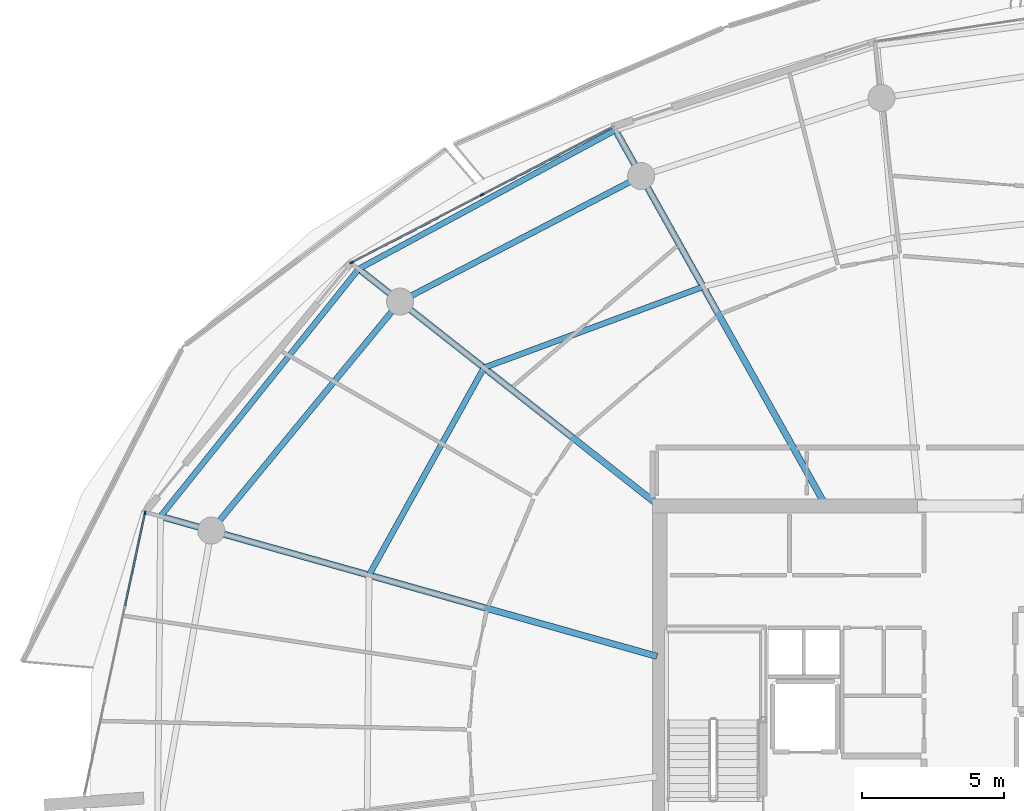
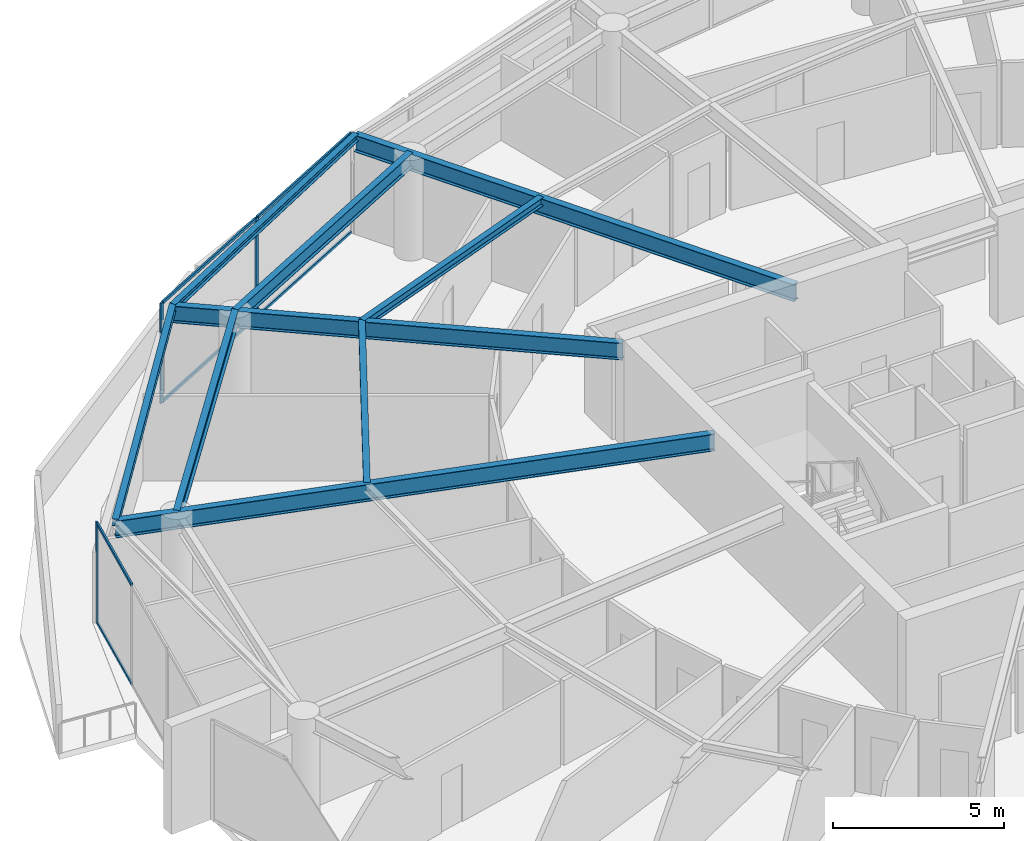
# One storey, part 11 of 29: 9 beams, 9 members, 2 elements without a shape of their own.
"""IFC4 building model written with IfcOpenShell, lengths in metres."""

import ifcopenshell
import ifcopenshell.guid

model = None  # the IFC model being written
_history = None  # IfcOwnerHistory: only IFC2X3 demands one
_inside = {}  # id of a spatial element -> (the spatial element, [elements in it])
_under = {}  # id of a project, library or spatial element -> (it, [spatial elements below it])
_declared = {}  # id of a project -> (the project, [libraries it declares])
_typed = {}  # id of a type object -> (the type object, [elements of that type])
_made_of = {}  # id of a material, layer set ... -> (it, [elements and type objects made of it])


def new_model(schema):
    """Start an empty IFC model of exactly this schema.

    Asked for "IFC4X3", IfcOpenShell would pick the latest addendum, in which some entities
    have other attributes; the version numbers below select the first issue.
    IFC2X3 requires an IfcOwnerHistory on every rooted entity: one is made here for all.
    """
    global model, _history
    if schema == "IFC4X3":
        model = ifcopenshell.file(schema_version=(4, 3, 0, 0))
    else:
        model = ifcopenshell.file(schema=schema)
    _inside.clear()
    _under.clear()
    _declared.clear()
    _typed.clear()
    _made_of.clear()
    _history = None
    if model.schema == "IFC2X3":
        org = make("IfcOrganization", Name="unknown")
        user = make(
            "IfcPersonAndOrganization",
            ThePerson=make("IfcPerson", FamilyName="unknown"),
            TheOrganization=org,
        )
        app = make(
            "IfcApplication",
            ApplicationDeveloper=org,
            Version="unknown",
            ApplicationFullName="unknown",
            ApplicationIdentifier="unknown",
        )
        _history = make(
            "IfcOwnerHistory",
            OwningUser=user,
            OwningApplication=app,
            ChangeAction="ADDED",
            CreationDate=0,
        )
    return model


def make(cls, **values):
    """One entity of the class cls with the attributes given. An attribute that is None is left unset."""
    return model.create_entity(
        cls, **{name: value for name, value in values.items() if value is not None}
    )


def rooted(cls, **values):
    """An entity with a GlobalId (a new one), such as an element, a storey or a relation."""
    return make(cls, GlobalId=ifcopenshell.guid.new(), OwnerHistory=_history, **values)


def si_unit(unit_type, name, prefix=None):
    """IfcSIUnit, for example si_unit("LENGTHUNIT", "METRE", prefix="MILLI")."""
    return make("IfcSIUnit", UnitType=unit_type, Prefix=prefix, Name=name)


def assignment(units):
    """IfcUnitAssignment: the units of a project."""
    return None if units is None else make("IfcUnitAssignment", Units=units)


def point(xyz):
    """IfcCartesianPoint."""
    return None if xyz is None else make("IfcCartesianPoint", Coordinates=xyz)


def direction(xyz):
    """IfcDirection."""
    return None if xyz is None else make("IfcDirection", DirectionRatios=xyz)


def frame(location, z_axis=None, x_axis=None):
    """IfcAxis2Placement3D, a coordinate frame: its origin and axes. An axis left out is left unset."""
    return make(
        "IfcAxis2Placement3D",
        Location=point(location),
        Axis=direction(z_axis),
        RefDirection=direction(x_axis),
    )


def frame_2d(location, x_axis=None):
    """IfcAxis2Placement2D, a coordinate frame in the plane: its origin and x axis."""
    return make(
        "IfcAxis2Placement2D", Location=point(location), RefDirection=direction(x_axis)
    )


def origin():
    """The frame at (0, 0, 0) with its axes left unset."""
    return frame((0.0, 0.0, 0.0))


def origin_2d():
    """The frame at (0, 0) in the plane with its x axis left unset."""
    return frame_2d((0.0, 0.0))


def place(relative_to, where):
    """IfcLocalPlacement: puts the frame where relative to a parent placement (None: the world)."""
    return make(
        "IfcLocalPlacement", PlacementRelTo=relative_to, RelativePlacement=where
    )


def context(
    kind, dimensions, precision=None, world=None, true_north=None, identifier=None
):
    """IfcGeometricRepresentationContext, for example the 3D "Model" context."""
    return make(
        "IfcGeometricRepresentationContext",
        ContextIdentifier=identifier,
        ContextType=kind,
        CoordinateSpaceDimension=dimensions,
        Precision=precision,
        WorldCoordinateSystem=world,
        TrueNorth=true_north,
    )


def subcontext(parent, identifier, kind, view, scale=None):
    """IfcGeometricRepresentationSubContext, for example "Body" below "Model"."""
    return make(
        "IfcGeometricRepresentationSubContext",
        ContextIdentifier=identifier,
        ContextType=kind,
        ParentContext=parent,
        TargetScale=scale,
        TargetView=view,
    )


def project(units=None, contexts=None):
    """IfcProject with its units and contexts."""
    return rooted(
        "IfcProject",
        Name="project",
        RepresentationContexts=contexts,
        UnitsInContext=assignment(units),
    )


def spatial(cls, under=None, at=None, **own):
    """A site, building, storey or space (cls), placed at a placement, below another one or the project."""
    s = rooted(cls, ObjectPlacement=at, **own)
    if under is not None:
        _under.setdefault(under.id(), (under, []))[1].append(s)
    return s


def profile(cls, at=None, kind="AREA", **sizes):
    """A parametric profile (cls). Its sizes go by their IFC names, for example OverallWidth=200.0."""
    return make(cls, ProfileType=kind, Position=at, **sizes)


def rectangle(**sizes):
    """IfcRectangleProfileDef."""
    return profile("IfcRectangleProfileDef", **sizes)


def i_section(**sizes):
    """IfcIShapeProfileDef."""
    return profile("IfcIShapeProfileDef", **sizes)


def extrude(swept, where, along, depth):
    """IfcExtrudedAreaSolid: the profile swept, set in the frame where, extruded along a direction by depth."""
    return make(
        "IfcExtrudedAreaSolid",
        SweptArea=swept,
        Position=where,
        ExtrudedDirection=direction(along),
        Depth=depth,
    )


def shape(context_of_items, identifier, shape_type, items):
    """IfcShapeRepresentation: the items that make up one representation, for example the "Body"."""
    return make(
        "IfcShapeRepresentation",
        ContextOfItems=context_of_items,
        RepresentationIdentifier=identifier,
        RepresentationType=shape_type,
        Items=items,
    )


def material(Name=None, Category=None):
    """IfcMaterial."""
    return make("IfcMaterial", Name=Name, Category=Category)


def layer(
    of_material, thickness, ventilated=None, Name=None, Category=None, Priority=None
):
    """IfcMaterialLayer: one layer of a wall or slab, of a material (None: an air gap)."""
    return make(
        "IfcMaterialLayer",
        Material=of_material,
        LayerThickness=thickness,
        IsVentilated=ventilated,
        Name=Name,
        Category=Category,
        Priority=Priority,
    )


def layer_set(layers, Name=None):
    """IfcMaterialLayerSet."""
    return make("IfcMaterialLayerSet", MaterialLayers=layers, LayerSetName=Name)


def material_profile(
    of_material, cross_section, Name=None, Category=None, Priority=None
):
    """IfcMaterialProfile: a cross section and its material."""
    return make(
        "IfcMaterialProfile",
        Name=Name,
        Material=of_material,
        Profile=cross_section,
        Priority=Priority,
        Category=Category,
    )


def profile_set(profiles, Name=None, composite=None):
    """IfcMaterialProfileSet."""
    return make(
        "IfcMaterialProfileSet",
        Name=Name,
        MaterialProfiles=profiles,
        CompositeProfile=composite,
    )


def made_of(thing, what):
    """Note that an element or type object is made of a material, layer set ...; save() writes the relation."""
    if what is not None:
        _made_of.setdefault(what.id(), (what, []))[1].append(thing)
    return thing


def type_object(cls, material=None, **own):
    """A type object (cls), such as IfcWallType, which elements share."""
    return made_of(rooted(cls, **own), material)


def element(
    cls,
    number,
    at=None,
    inside=None,
    cuts=None,
    type_object=None,
    material=None,
    context=None,
    identifier="Body",
    shape_type=None,
    held_by="IfcProductDefinitionShape",
    body=None,
    shapes=None,
    **own,
):
    """One element of the class cls, such as IfcWall. Its Tag is "e" and its number.

    at: its placement. inside: the storey or other place that contains it. cuts: it is an
    opening in that element (IfcRelVoidsElement). A single representation is given by context,
    identifier, shape_type and body (its items); several are given by shapes. held_by: the class
    of the entity that holds the representations. save() writes the other relations.
    """
    e = rooted(cls, Tag="e%d" % number, ObjectPlacement=at, **own)
    if body is not None:
        shapes = [shape(context, identifier, shape_type, body)]
    if shapes is not None:
        e.Representation = make(held_by, Representations=shapes)
    if inside is not None:
        _inside.setdefault(inside.id(), (inside, []))[1].append(e)
    if cuts is not None:
        rooted(
            "IfcRelVoidsElement", RelatingBuildingElement=cuts, RelatedOpeningElement=e
        )
    if type_object is not None:
        _typed.setdefault(type_object.id(), (type_object, []))[1].append(e)
    return made_of(e, material)


def aggregate(whole, parts):
    """IfcRelAggregates: a whole, such as a stair, and the parts it consists of."""
    return rooted("IfcRelAggregates", RelatingObject=whole, RelatedObjects=parts)


def save(model, path):
    """Write the relations noted so far, then the file.

    IfcRelAggregates (storeys below a building ...), IfcRelContainedInSpatialStructure (elements
    in a storey), IfcRelDefinesByType, IfcRelAssociatesMaterial and IfcRelDeclares: one each for
    every whole, place, type object, material and project.
    """
    for whole, parts in _under.values():
        aggregate(whole, parts)
    for where, things in _inside.values():
        rooted(
            "IfcRelContainedInSpatialStructure",
            RelatedElements=things,
            RelatingStructure=where,
        )
    for kind, things in _typed.values():
        rooted("IfcRelDefinesByType", RelatedObjects=things, RelatingType=kind)
    for what, things in _made_of.values():
        rooted("IfcRelAssociatesMaterial", RelatedObjects=things, RelatingMaterial=what)
    for by, libraries in _declared.values():
        rooted("IfcRelDeclares", RelatingContext=by, RelatedDefinitions=libraries)
    model.write(path)


model = new_model("IFC4")

# Units and contexts
model_context = context("Model", 3, precision=1e-05, world=origin(), true_north=direction((0.0, 1.0)))
body_context = subcontext(model_context, "Body", "Model", "MODEL_VIEW")
ifc_project = project(units=[si_unit("LENGTHUNIT", "METRE"), si_unit("AREAUNIT", "SQUARE_METRE"), si_unit("VOLUMEUNIT", "CUBIC_METRE"), si_unit("PLANEANGLEUNIT", "RADIAN"), si_unit("MASSUNIT", "GRAM", prefix="KILO")], contexts=[model_context])

# Site, building, storey
site_placement = place(None, origin())
site = spatial("IfcSite", under=ifc_project, at=site_placement, CompositionType="ELEMENT")
building_placement = place(site_placement, origin())
building = spatial("IfcBuilding", under=site, at=building_placement, Name="Kazma Halo Residences", CompositionType="ELEMENT")
storey_placement = place(building_placement, frame((0.0, 0.0, 286.75)))
storey = spatial("IfcBuildingStorey", under=building, at=storey_placement, Name="L72", CompositionType="ELEMENT", Elevation=286.75)

# Beams
ifc_material_1 = material(Name="Steel S355", Category="steel")
ifc_material_profile_1 = material_profile(ifc_material_1, i_section(OverallWidth=0.201904296875, OverallDepth=0.2470703125, WebThickness=0.00732421875, FlangeThickness=0.010986328125, FilletRadius=0.011962890625, at=origin_2d()), Name="W250x49.1")
ifc_profile_set_1 = profile_set([ifc_material_profile_1], Name="Steel S355")
beam_type_1 = type_object("IfcBeamType", Name="BM-BAL-CANT", PredefinedType="BEAM", material=ifc_profile_set_1)
beam_1_placement = place(storey_placement, frame((35.990478515625, 63.444580078125, 3.466552734375), z_axis=(-0.879517282036, -0.475866946321, 0.0), x_axis=(0.475866946321, -0.879517282036, 0.0)))
element("IfcBeam", 1, at=beam_1_placement, inside=storey, type_object=beam_type_1, Name="L72 wave-balcony tie beam 05", PredefinedType="BEAM", context=body_context, shape_type="SweptSolid", body=[
    extrude(i_section(OverallWidth=0.201904296875, OverallDepth=0.2470703125, WebThickness=0.00732421875, FlangeThickness=0.010986328125, FilletRadius=0.011962890625, at=origin_2d()), origin(), (0.0, 0.0, 1.0), 10.243408203125),
])
beam_2_placement = place(storey_placement, frame((26.981201171875, 58.570068359375, 3.466552734375), z_axis=(-0.625117912406, -0.780530329705, 0.0), x_axis=(0.780530329705, -0.625117912406, 0.0)))
element("IfcBeam", 2, at=beam_2_placement, inside=storey, type_object=beam_type_1, Name="L72 wave-balcony tie beam 06", PredefinedType="BEAM", context=body_context, shape_type="SweptSolid", body=[
    extrude(i_section(OverallWidth=0.201904296875, OverallDepth=0.2470703125, WebThickness=0.00732421875, FlangeThickness=0.010986328125, FilletRadius=0.011962890625, at=origin_2d()), origin(), (0.0, 0.0, 1.0), 11.1220703125),
])
ifc_material_profile_2 = material_profile(ifc_material_1, i_section(OverallWidth=0.22802734375, OverallDepth=0.60791015625, WebThickness=0.01123046875, FlangeThickness=0.017333984375, FilletRadius=0.01806640625, at=origin_2d()), Name="W610x113")
ifc_profile_set_2 = profile_set([ifc_material_profile_2], Name="Steel S355")
beam_type_2 = type_object("IfcBeamType", Name="BM-RAD-W610", PredefinedType="BEAM", material=ifc_profile_set_2)
beam_3_placement = place(storey_placement, frame((43.32373046875, 50.35009765625, 3.285888671875), z_axis=(-0.488620706085, 0.872496306918, 0.0), x_axis=(-0.872496306918, -0.488620706085, 0.0)))
element("IfcBeam", 3, at=beam_3_placement, inside=storey, type_object=beam_type_2, Name="L72 radial floor beam 05", PredefinedType="BEAM", context=body_context, shape_type="SweptSolid", body=[
    extrude(i_section(OverallWidth=0.22802734375, OverallDepth=0.60791015625, WebThickness=0.01123046875, FlangeThickness=0.017333984375, FilletRadius=0.01806640625, at=origin_2d()), origin(), (0.0, 0.0, 1.0), 15.008056640625),
])
beam_4_placement = place(storey_placement, frame((37.449951171875, 50.31689453125, 3.285888671875), z_axis=(-0.785306836423, 0.619106753854, 0.0), x_axis=(-0.619106753854, -0.785306836423, 0.0)))
element("IfcBeam", 4, at=beam_4_placement, inside=storey, type_object=beam_type_2, Name="L72 radial floor beam 06", PredefinedType="BEAM", context=body_context, shape_type="SweptSolid", body=[
    extrude(i_section(OverallWidth=0.22802734375, OverallDepth=0.60791015625, WebThickness=0.01123046875, FlangeThickness=0.017333984375, FilletRadius=0.01806640625, at=origin_2d()), origin(), (0.0, 0.0, 1.0), 13.330810546875),
])
beam_5_placement = place(storey_placement, frame((37.449951171875, 44.975341796875, 3.285888671875), z_axis=(-0.962451844494, 0.271452476559, 0.0), x_axis=(-0.271452476559, -0.962451844494, 0.0)))
element("IfcBeam", 5, at=beam_5_placement, inside=storey, type_object=beam_type_2, Name="L72 radial floor beam 07", PredefinedType="BEAM", context=body_context, shape_type="SweptSolid", body=[
    extrude(i_section(OverallWidth=0.22802734375, OverallDepth=0.60791015625, WebThickness=0.01123046875, FlangeThickness=0.017333984375, FilletRadius=0.01806640625, at=origin_2d()), origin(), (0.0, 0.0, 1.0), 18.10107421875),
])
ifc_material_profile_3 = material_profile(ifc_material_1, i_section(OverallWidth=0.202880859375, OverallDepth=0.302978515625, WebThickness=0.007568359375, FlangeThickness=0.01318359375, FilletRadius=0.013916015625, at=origin_2d()), Name="W310x60")
ifc_profile_set_3 = profile_set([ifc_material_profile_3], Name="Steel S355")
beam_type_3 = type_object("IfcBeamType", Name="BM-SEC-W310A", PredefinedType="JOIST", material=ifc_profile_set_3)
beam_6_placement = place(storey_placement, frame((39.070556640625, 57.94482421875, 3.4384765625), z_axis=(-0.938068342894, -0.346450262029, 0.0), x_axis=(0.346450262029, -0.938068342894, 0.0)))
element("IfcBeam", 6, at=beam_6_placement, inside=storey, type_object=beam_type_3, Name="L72 circumferential floor joist 05", PredefinedType="JOIST", context=body_context, shape_type="SweptSolid", body=[
    extrude(i_section(OverallWidth=0.202880859375, OverallDepth=0.302978515625, WebThickness=0.007568359375, FlangeThickness=0.01318359375, FilletRadius=0.013916015625, at=origin_2d()), origin(), (0.0, 0.0, 1.0), 8.200439453125),
])
beam_7_placement = place(storey_placement, frame((31.3779296875, 55.103759765625, 3.4384765625), z_axis=(-0.484616234235, -0.874726874811, 0.0), x_axis=(0.874726874811, -0.484616234235, 0.0)))
element("IfcBeam", 7, at=beam_7_placement, inside=storey, type_object=beam_type_3, Name="L72 circumferential floor joist 06", PredefinedType="JOIST", context=body_context, shape_type="SweptSolid", body=[
    extrude(i_section(OverallWidth=0.202880859375, OverallDepth=0.302978515625, WebThickness=0.007568359375, FlangeThickness=0.01318359375, FilletRadius=0.013916015625, at=origin_2d()), origin(), (0.0, 0.0, 1.0), 8.321044921875),
])
ifc_material_profile_4 = material_profile(ifc_material_1, i_section(OverallWidth=0.208984375, OverallDepth=0.532958984375, WebThickness=0.01025390625, FlangeThickness=0.015625, FilletRadius=0.01611328125, at=origin_2d()), Name="W530x92")
ifc_profile_set_4 = profile_set([ifc_material_profile_4], Name="Steel S355")
beam_type_4 = type_object("IfcBeamType", Name="BM-SPN-W530", PredefinedType="BEAM", material=ifc_profile_set_4)
beam_8_placement = place(storey_placement, frame((36.89453125, 61.830322265625, 3.323486328125), z_axis=(-0.886961047115, -0.461844238788, 0.0), x_axis=(0.461844238788, -0.886961047115, 0.0)))
element("IfcBeam", 8, at=beam_8_placement, inside=storey, type_object=beam_type_4, Name="L72 perimeter ring beam 05", PredefinedType="BEAM", context=body_context, shape_type="SweptSolid", body=[
    extrude(i_section(OverallWidth=0.208984375, OverallDepth=0.532958984375, WebThickness=0.01025390625, FlangeThickness=0.015625, FilletRadius=0.01611328125, at=origin_2d()), origin(), (0.0, 0.0, 1.0), 9.5390625),
])
beam_9_placement = place(storey_placement, frame((28.433837890625, 57.4248046875, 3.323486328125), z_axis=(-0.636002144225, -0.771687289348, 0.0), x_axis=(0.771687289348, -0.636002144225, 0.0)))
element("IfcBeam", 9, at=beam_9_placement, inside=storey, type_object=beam_type_4, Name="L72 perimeter ring beam 06", PredefinedType="BEAM", context=body_context, shape_type="SweptSolid", body=[
    extrude(i_section(OverallWidth=0.208984375, OverallDepth=0.532958984375, WebThickness=0.01025390625, FlangeThickness=0.015625, FilletRadius=0.01611328125, at=origin_2d()), origin(), (0.0, 0.0, 1.0), 10.416259765625),
])

# Curtain wall, members
ifc_material_2 = material(Name="Aluminium AW-6063 T6 and Triple-Silver Low-E Glass", Category="aluminium")
ifc_layer = layer(ifc_material_2, 0.139892578125)
ifc_layer_set = layer_set([ifc_layer], Name="Aluminium AW-6063 T6 and Triple-Silver Low-E Glass")
curtain_wall_type = type_object("IfcCurtainWallType", Name="CW-SYS-5", PredefinedType="NOTDEFINED", material=ifc_layer_set)
curtain_wall_1_placement = place(storey_placement, origin())
curtain_wall_1 = element("IfcCurtainWall", 10, at=curtain_wall_1_placement, inside=storey, type_object=curtain_wall_type, Name="L72 unitised curtain wall B05", PredefinedType="NOTDEFINED")
ifc_material_3 = material(Name="Aluminium AW-6063 T6", Category="aluminium")
ifc_material_profile_5 = material_profile(ifc_material_3, rectangle(XDim=0.06005859375, YDim=0.139892578125, at=origin_2d()), Name="CWM-60x140")
ifc_profile_set_5 = profile_set([ifc_material_profile_5], Name="Aluminium AW-6063 T6")
member_type_1 = type_object("IfcMemberType", Name="CW-SYS-5-MUL", PredefinedType="MULLION", material=ifc_profile_set_5)
member_1_placement = place(storey_placement, frame((31.31591796875, 61.175537109375, 0.0), z_axis=(0.0, 0.0, 1.0), x_axis=(0.460960760804, -0.887420518694, 0.0)))
member_1 = element("IfcMember", 11, at=member_1_placement, type_object=member_type_1, Name="CWS-5 mullion 2", PredefinedType="MULLION", context=body_context, shape_type="SweptSolid", body=[
    extrude(rectangle(XDim=0.06005859375, YDim=0.139892578125, at=origin_2d()), origin(), (0.0, 0.0, 1.0), 3.590087890625),
])
member_2_placement = place(storey_placement, frame((26.737060546875, 58.797119140625, 0.0), z_axis=(0.0, 0.0, 1.0), x_axis=(0.460960760804, -0.887420518694, 0.0)))
member_2 = element("IfcMember", 12, at=member_2_placement, type_object=member_type_1, Name="CWS-5 mullion 3", PredefinedType="MULLION", context=body_context, shape_type="SweptSolid", body=[
    extrude(rectangle(XDim=0.06005859375, YDim=0.139892578125, at=origin_2d()), origin(), (0.0, 0.0, 1.0), 3.590087890625),
])

# Curtain wall, member
curtain_wall_2_placement = place(storey_placement, origin())
curtain_wall_2 = element("IfcCurtainWall", 13, at=curtain_wall_2_placement, inside=storey, type_object=curtain_wall_type, Name="L72 unitised curtain wall B07", PredefinedType="NOTDEFINED")
member_3_placement = place(storey_placement, frame((19.485107421875, 50.010986328125, 0.0), z_axis=(0.0, 0.0, 1.0), x_axis=(0.97777491373, -0.209657382603, 0.0)))
member_3 = element("IfcMember", 14, at=member_3_placement, type_object=member_type_1, Name="CWS-5 mullion 1", PredefinedType="MULLION", context=body_context, shape_type="SweptSolid", body=[
    extrude(rectangle(XDim=0.06005859375, YDim=0.139892578125, at=origin_2d()), origin(), (0.0, 0.0, 1.0), 3.590087890625),
])

# Member
ifc_material_profile_6 = material_profile(ifc_material_3, rectangle(XDim=0.06005859375, YDim=0.10498046875, at=origin_2d()), Name="CWT-60x105")
ifc_profile_set_6 = profile_set([ifc_material_profile_6], Name="Aluminium AW-6063 T6")
member_type_2 = type_object("IfcMemberType", Name="CW-SYS-5-TRN", PredefinedType="USERDEFINED", material=ifc_profile_set_6)
member_4_placement = place(storey_placement, frame((35.8681640625, 63.5400390625, 0.030029296875), z_axis=(-0.887436955863, -0.46092911534, 0.0), x_axis=(0.46092911534, -0.887436955863, 0.0)))
member_4 = element("IfcMember", 15, at=member_4_placement, type_object=member_type_2, Name="CWS-5 transom 1.1", ObjectType="TRANSOM", PredefinedType="USERDEFINED", context=body_context, shape_type="SweptSolid", body=[
    extrude(rectangle(XDim=0.06005859375, YDim=0.10498046875, at=origin_2d()), origin(), (0.0, 0.0, 1.0), 5.099609375),
])

member_5_placement = place(storey_placement, frame((35.8681640625, 63.5400390625, 3.56005859375), z_axis=(-0.887436955863, -0.46092911534, 0.0), x_axis=(0.46092911534, -0.887436955863, 0.0)))
member_5 = element("IfcMember", 16, at=member_5_placement, type_object=member_type_2, Name="CWS-5 transom 1.2", ObjectType="TRANSOM", PredefinedType="USERDEFINED", context=body_context, shape_type="SweptSolid", body=[
    extrude(rectangle(XDim=0.06005859375, YDim=0.10498046875, at=origin_2d()), origin(), (0.0, 0.0, 1.0), 5.099609375),
])

member_6_placement = place(storey_placement, frame((31.289306640625, 61.16162109375, 0.030029296875), z_axis=(-0.887436955863, -0.46092911534, 0.0), x_axis=(0.46092911534, -0.887436955863, 0.0)))
member_6 = element("IfcMember", 17, at=member_6_placement, type_object=member_type_2, Name="CWS-5 transom 2.1", ObjectType="TRANSOM", PredefinedType="USERDEFINED", context=body_context, shape_type="SweptSolid", body=[
    extrude(rectangle(XDim=0.06005859375, YDim=0.10498046875, at=origin_2d()), origin(), (0.0, 0.0, 1.0), 5.099609375),
])

member_7_placement = place(storey_placement, frame((31.289306640625, 61.16162109375, 3.56005859375), z_axis=(-0.887436955863, -0.46092911534, 0.0), x_axis=(0.46092911534, -0.887436955863, 0.0)))
member_7 = element("IfcMember", 18, at=member_7_placement, type_object=member_type_2, Name="CWS-5 transom 2.2", ObjectType="TRANSOM", PredefinedType="USERDEFINED", context=body_context, shape_type="SweptSolid", body=[
    extrude(rectangle(XDim=0.06005859375, YDim=0.10498046875, at=origin_2d()), origin(), (0.0, 0.0, 1.0), 5.099609375),
])

aggregate(curtain_wall_1, [member_1, member_2, member_4, member_5, member_6, member_7])

member_8_placement = place(storey_placement, frame((19.47900390625, 49.9814453125, 0.030029296875), z_axis=(-0.209660493552, -0.977774246666, 0.0), x_axis=(0.977774246666, -0.209660493552, 0.0)))
member_8 = element("IfcMember", 19, at=member_8_placement, type_object=member_type_2, Name="CWS-5 transom 1.1", ObjectType="TRANSOM", PredefinedType="USERDEFINED", context=body_context, shape_type="SweptSolid", body=[
    extrude(rectangle(XDim=0.06005859375, YDim=0.10498046875, at=origin_2d()), origin(), (0.0, 0.0, 1.0), 3.298828125),
])

member_9_placement = place(storey_placement, frame((19.47900390625, 49.9814453125, 3.56005859375), z_axis=(-0.209660493552, -0.977774246666, 0.0), x_axis=(0.977774246666, -0.209660493552, 0.0)))
member_9 = element("IfcMember", 20, at=member_9_placement, type_object=member_type_2, Name="CWS-5 transom 1.2", ObjectType="TRANSOM", PredefinedType="USERDEFINED", context=body_context, shape_type="SweptSolid", body=[
    extrude(rectangle(XDim=0.06005859375, YDim=0.10498046875, at=origin_2d()), origin(), (0.0, 0.0, 1.0), 3.298828125),
])

aggregate(curtain_wall_2, [member_3, member_8, member_9])

save(model, "model.ifc")
